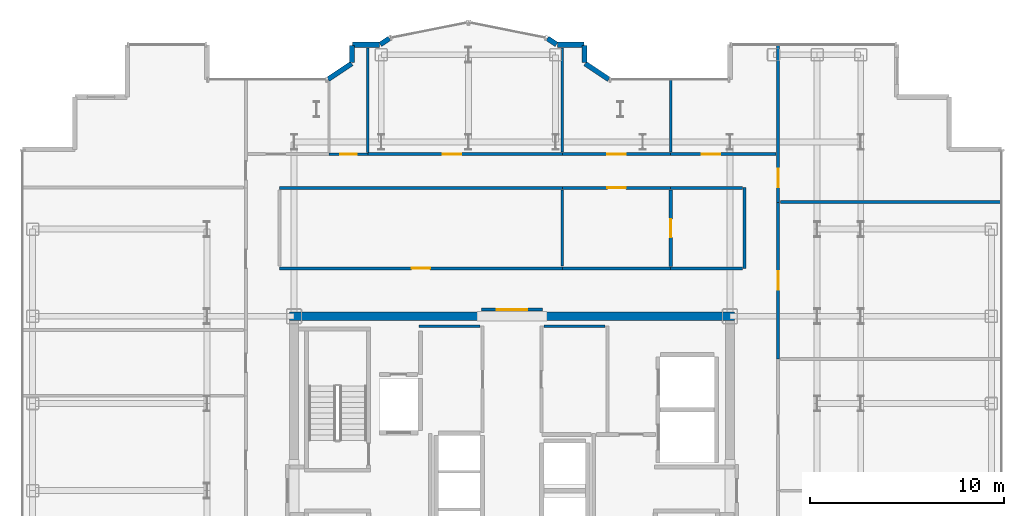
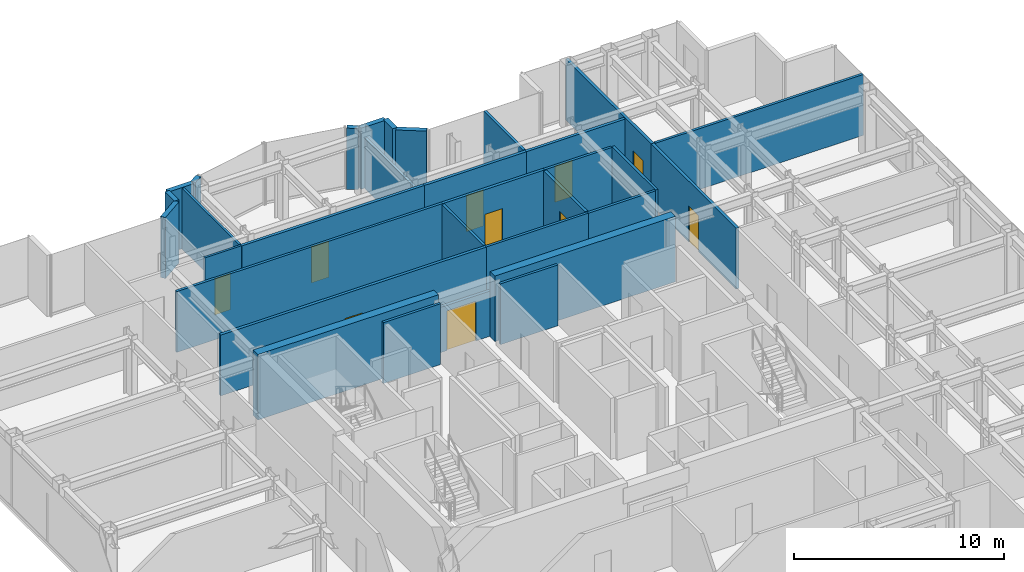
# One storey, part 18 of 20: 32 walls, 10 doors, 10 openings.
"""IFC4 building model written with IfcOpenShell, lengths in metres."""

from ifc_helpers import new_model, si_unit, direction, frame, frame_2d, origin, place, context, subcontext, project, spatial, rectangle, extrude, source, transform, mapped, material, layer, layer_set, type_object, element, fill, save


model = new_model("IFC4")

# Units and contexts
model_context = context("Model", 3, precision=1e-05, world=origin(), true_north=direction((0.0, 1.0)))
body_context = subcontext(model_context, "Body", "Model", "MODEL_VIEW")
ifc_project = project(units=[si_unit("LENGTHUNIT", "METRE"), si_unit("AREAUNIT", "SQUARE_METRE"), si_unit("VOLUMEUNIT", "CUBIC_METRE"), si_unit("PLANEANGLEUNIT", "RADIAN"), si_unit("MASSUNIT", "GRAM", prefix="KILO")], contexts=[model_context])

# Site, building, storey
site_placement = place(None, origin())
site = spatial("IfcSite", under=ifc_project, at=site_placement, CompositionType="ELEMENT")
building_placement = place(site_placement, origin())
building = spatial("IfcBuilding", under=site, at=building_placement, Name="Nefas-Gora Pilgrimage Tower", CompositionType="ELEMENT")
storey_placement = place(building_placement, frame((0.0, 0.0, 214.199951171875)))
storey = spatial("IfcBuildingStorey", under=building, at=storey_placement, Name="L53", CompositionType="ELEMENT", Elevation=214.199951171875)

# Walls
ifc_material_1 = material(Name="Concrete C50/60", Category="concrete")
ifc_layer_1 = layer(ifc_material_1, 0.449951171875)
ifc_layer_set_1 = layer_set([ifc_layer_1], Name="Concrete C50/60")
wall_type_1 = type_object("IfcWallType", Name="SW-CORE-450", PredefinedType="SHEAR", material=ifc_layer_set_1)
shared_shape_1 = source(origin(), body_context, "Body", "SweptSolid", [
    extrude(rectangle(XDim=9.925048828125, YDim=0.449951171875, at=frame_2d((4.96240234375, 0.0))), origin(), (0.0, 0.0, 1.0), 3.800048828125),
])
for number, where, z_axis, x_axis, name in (
    (1, (-11.47509765625, 9.0, 0.0), (0.0, 0.0, 1.0), (1.0, 0.0, 0.0), "L53 Core Shear Wall N-West"),
    (2, (1.550048828125, 9.0, 0.0), (0.0, 0.0, 1.0), (1.0, 0.0, 0.0), "L53 Core Shear Wall N-East"),
):
    element("IfcWall", number, at=place(storey_placement, frame(where, z_axis=z_axis, x_axis=x_axis)), inside=storey, type_object=wall_type_1, Name=name, PredefinedType="SHEAR", context=body_context, shape_type="MappedRepresentation", body=[
        mapped(shared_shape_1, transform((0.0, 0.0, 0.0), x_axis=(1.0, 0.0, 0.0), y_axis=(0.0, 1.0, 0.0), z_axis=(0.0, 0.0, 1.0), scale=1.0)),
    ])
ifc_material_2 = material(Name="Precast concrete C40/50", Category="concrete")
ifc_layer_2 = layer(ifc_material_2, 0.260009765625)
ifc_layer_set_2 = layer_set([ifc_layer_2], Name="Precast concrete C40/50")
wall_type_2 = type_object("IfcWallType", Name="EW-PORTAL-260", PredefinedType="SOLIDWALL", material=ifc_layer_set_2)
shared_shape_2 = source(origin(), body_context, "Body", "SweptSolid", [
    extrude(rectangle(XDim=1.468994140625, YDim=0.260009765625, at=frame_2d((0.734375, 0.0))), origin(), (0.0, 0.0, 1.0), 3.550048828125),
])
for number, where, z_axis, x_axis, name in (
    (3, (4.99462890625, 21.235595703125, 0.0), (0.0, 0.0, 1.0), (-0.831461760506, 0.555581983884, 0.0), "L53 Lobe Shoulder Precast Spandrel Pier 11"),
    (4, (-8.273193359375, 22.0517578125, 0.0), (0.0, 0.0, 1.0), (-0.831461760506, -0.555581983884, 0.0), "L53 Lobe Shoulder Precast Spandrel Pier 18"),
):
    element("IfcWall", number, at=place(storey_placement, frame(where, z_axis=z_axis, x_axis=x_axis)), inside=storey, type_object=wall_type_2, Name=name, PredefinedType="SOLIDWALL", context=body_context, shape_type="MappedRepresentation", body=[
        mapped(shared_shape_2, transform((0.0, 0.0, 0.0), x_axis=(1.0, 0.0, 0.0), y_axis=(0.0, 1.0, 0.0), z_axis=(0.0, 0.0, 1.0), scale=1.0)),
    ])
shared_shape_3 = source(origin(), body_context, "Body", "SweptSolid", [
    extrude(rectangle(XDim=0.896728515625, YDim=0.260009765625, at=frame_2d((0.4482421875, 0.0))), origin(), (0.0, 0.0, 1.0), 3.550048828125),
])
for number, where, z_axis, x_axis, name in (
    (5, (3.75, 22.09521484375, 0.0), (0.0, 0.0, 1.0), (0.0, 1.0, 0.0), "L53 Lobe Shoulder Precast Spandrel Pier 12"),
    (6, (-8.25, 22.991943359375, 0.0), (0.0, 0.0, 1.0), (0.0, -1.0, 0.0), "L53 Lobe Shoulder Precast Spandrel Pier 17"),
):
    element("IfcWall", number, at=place(storey_placement, frame(where, z_axis=z_axis, x_axis=x_axis)), inside=storey, type_object=wall_type_2, Name=name, PredefinedType="SOLIDWALL", context=body_context, shape_type="MappedRepresentation", body=[
        mapped(shared_shape_3, transform((0.0, 0.0, 0.0), x_axis=(1.0, 0.0, 0.0), y_axis=(0.0, 1.0, 0.0), z_axis=(0.0, 0.0, 1.0), scale=1.0)),
    ])
shared_shape_4 = source(origin(), body_context, "Body", "SweptSolid", [
    extrude(rectangle(XDim=1.369873046875, YDim=0.260009765625, at=frame_2d((0.68505859375, 0.0))), origin(), (0.0, 0.0, 1.0), 3.550048828125),
])
for number, where, z_axis, x_axis, name in (
    (7, (3.721923828125, 23.02001953125, 0.0), (0.0, 0.0, 1.0), (-1.0, 0.0, 0.0), "L53 Lobe Shoulder Precast Spandrel Pier 13"),
    (8, (-6.85205078125, 23.02001953125, 0.0), (0.0, 0.0, 1.0), (-1.0, 0.0, 0.0), "L53 Lobe Shoulder Precast Spandrel Pier 16"),
):
    element("IfcWall", number, at=place(storey_placement, frame(where, z_axis=z_axis, x_axis=x_axis)), inside=storey, type_object=wall_type_2, Name=name, PredefinedType="SOLIDWALL", context=body_context, shape_type="MappedRepresentation", body=[
        mapped(shared_shape_4, transform((0.0, 0.0, 0.0), x_axis=(1.0, 0.0, 0.0), y_axis=(0.0, 1.0, 0.0), z_axis=(0.0, 0.0, 1.0), scale=1.0)),
    ])
shared_shape_5 = source(origin(), body_context, "Body", "SweptSolid", [
    extrude(rectangle(XDim=0.5654296875, YDim=0.260009765625, at=frame_2d((0.28271484375, 0.0))), origin(), (0.0, 0.0, 1.0), 3.550048828125),
])
for number, where, z_axis, x_axis, name in (
    (9, (2.30078125, 23.03564453125, 0.0), (0.0, 0.0, 1.0), (-0.831651492666, 0.555297933317, 0.0), "L53 Lobe Shoulder Precast Spandrel Pier 14"),
    (10, (-6.33056640625, 23.349609375, 0.0), (0.0, 0.0, 1.0), (-0.831651492666, -0.555297933317, 0.0), "L53 Lobe Shoulder Precast Spandrel Pier 15"),
):
    element("IfcWall", number, at=place(storey_placement, frame(where, z_axis=z_axis, x_axis=x_axis)), inside=storey, type_object=wall_type_2, Name=name, PredefinedType="SOLIDWALL", context=body_context, shape_type="MappedRepresentation", body=[
        mapped(shared_shape_5, transform((0.0, 0.0, 0.0), x_axis=(1.0, 0.0, 0.0), y_axis=(0.0, 1.0, 0.0), z_axis=(0.0, 0.0, 1.0), scale=1.0)),
    ])
ifc_material_3 = material(Name="Gypsum twin-stud partition")
ifc_layer_3 = layer(ifc_material_3, 0.139892578125)
ifc_layer_set_3 = layer_set([ifc_layer_3], Name="Gypsum twin-stud partition")
wall_type_3 = type_object("IfcWallType", Name="IW-UNIT-140", PredefinedType="PARTITIONING", material=ifc_layer_set_3)
shared_shape_6 = source(origin(), body_context, "Body", "SweptSolid", [
    extrude(rectangle(XDim=3.150146484375, YDim=0.139892578125, at=frame_2d((1.5751953125, 0.0))), origin(), (0.0, 0.0, 1.0), 3.53515625),
])
for number, where, z_axis, x_axis, name in (
    (11, (-4.7900390625, 8.47998046875, 0.0), (0.0, 0.0, 1.0), (1.0, 0.0, 0.0), "L53 Housekeeping and Linen Store Partition Wall 19"),
    (12, (1.639892578125, 8.47998046875, 0.0), (0.0, 0.0, 1.0), (1.0, 0.0, 0.0), "L53 Freed Bank-1 Amenity Supply Store Partition Wall 24"),
):
    element("IfcWall", number, at=place(storey_placement, frame(where, z_axis=z_axis, x_axis=x_axis)), inside=storey, type_object=wall_type_3, Name=name, PredefinedType="PARTITIONING", context=body_context, shape_type="MappedRepresentation", body=[
        mapped(shared_shape_6, transform((0.0, 0.0, 0.0), x_axis=(1.0, 0.0, 0.0), y_axis=(0.0, 1.0, 0.0), z_axis=(0.0, 0.0, 1.0), scale=1.0)),
    ])

# Wall, opening, door
ifc_material_4 = material(Name="Moisture-resistant fire-rated gypsum partition")
ifc_layer_4 = layer(ifc_material_4, 0.1201171875)
ifc_layer_set_4 = layer_set([ifc_layer_4], Name="Moisture-resistant fire-rated gypsum partition")
wall_type_4 = type_object("IfcWallType", Name="IW-WET-120", PredefinedType="PLUMBINGWALL", material=ifc_layer_set_4)
shared_shape_7 = source(origin(), body_context, "Body", "SweptSolid", [
    extrude(rectangle(XDim=2.02001953125, YDim=0.1201171875, at=frame_2d((1.010009765625, 0.0))), origin(), (0.0, 0.0, 1.0), 3.53515625),
])
wall_1_placement = place(storey_placement, frame((-9.4599609375, 17.3701171875, 0.0), z_axis=(0.0, 0.0, 1.0), x_axis=(1.0, 0.0, 0.0)))
wall_1 = element("IfcWall", 13, at=wall_1_placement, inside=storey, type_object=wall_type_4, Name="L53 Accessible Unisex WC Partition Wall 25", PredefinedType="PLUMBINGWALL", context=body_context, shape_type="MappedRepresentation", body=[
    mapped(shared_shape_7, transform((0.0, 0.0, 0.0), x_axis=(1.0, 0.0, 0.0), y_axis=(0.0, 1.0, 0.0), z_axis=(0.0, 0.0, 1.0), scale=1.0)),
])
opening_1_placement = place(wall_1_placement, frame((0.5849609375, 0.0, 0.0)))
opening_1 = element("IfcOpeningElement", 14, at=opening_1_placement, cuts=wall_1, Name="Opening ID-BT1", PredefinedType="OPENING", context=body_context, shape_type="SweptSolid", body=[
    extrude(rectangle(XDim=0.85009765625, YDim=2.10009765625, at=frame_2d((0.425048828125, 1.050048828125))), frame((0.0, 0.070068359375, 0.0), z_axis=(0.0, -1.0, 0.0), x_axis=(1.0, 0.0, 0.0)), (0.0, 0.0, 1.0), 0.14013671875),
])
ifc_material_5 = material(Name="Moisture-resistant fire-rated timber door", Category="wood")
door_type_1 = type_object("IfcDoorType", Name="DR-INT-BATH-850", OperationType="NOTDEFINED", PredefinedType="DOOR", material=ifc_material_5)
shared_shape_8 = source(origin(), body_context, "Body", "SweptSolid", [
    extrude(rectangle(XDim=0.85009765625, YDim=2.10009765625, at=frame_2d((0.425048828125, 1.050048828125))), frame((0.0, 0.02490234375, 0.0), z_axis=(0.0, -1.0, 0.0), x_axis=(1.0, 0.0, 0.0)), (0.0, 0.0, 1.0), 0.050048828125),
])
door_1_placement = place(opening_1_placement, origin())
door_1 = element("IfcDoor", 15, at=door_1_placement, inside=storey, type_object=door_type_1, Name="L53 Accessible Unisex WC Door 10", OperationType="SINGLE_SWING_RIGHT", OverallHeight=2.10009765625, OverallWidth=0.85009765625, PredefinedType="DOOR", context=body_context, shape_type="MappedRepresentation", body=[
    mapped(shared_shape_8, transform((0.0, 0.0, 0.0), x_axis=(1.0, 0.0, 0.0), y_axis=(0.0, 1.0, 0.0), z_axis=(0.0, 0.0, 1.0), scale=1.0)),
])
fill(opening_1, door_1)

ifc_material_6 = material(Name="Gypsum acoustic stud partition")
ifc_layer_5 = layer(ifc_material_6, 0.159912109375)
ifc_layer_set_5 = layer_set([ifc_layer_5], Name="Gypsum acoustic stud partition")
wall_type_5 = type_object("IfcWallType", Name="IW-CORR-160", PredefinedType="PARTITIONING", material=ifc_layer_set_5)
shared_shape_9 = source(origin(), body_context, "Body", "SweptSolid", [
    extrude(rectangle(XDim=5.610107421875, YDim=0.159912109375, at=frame_2d((2.80517578125, 0.0))), origin(), (0.0, 0.0, 1.0), 3.53515625),
])
wall_2_placement = place(storey_placement, frame((2.594970703125, 17.3701171875, 0.0), z_axis=(0.0, 0.0, 1.0), x_axis=(1.0, 0.0, 0.0)))
wall_2 = element("IfcWall", 16, at=wall_2_placement, inside=storey, type_object=wall_type_5, Name="L53 Pilgrim Contemplative Lounge Partition Wall 59", PredefinedType="PARTITIONING", context=body_context, shape_type="MappedRepresentation", body=[
    mapped(shared_shape_9, transform((0.0, 0.0, 0.0), x_axis=(1.0, 0.0, 0.0), y_axis=(0.0, 1.0, 0.0), z_axis=(0.0, 0.0, 1.0), scale=1.0)),
])
opening_2_placement = place(wall_2_placement, frame((2.330078125, 0.0, 0.0)))
opening_2 = element("IfcOpeningElement", 17, at=opening_2_placement, cuts=wall_2, Name="Opening ID-GR1", PredefinedType="OPENING", context=body_context, shape_type="SweptSolid", body=[
    extrude(rectangle(XDim=0.949951171875, YDim=2.10009765625, at=frame_2d((0.47509765625, 1.050048828125))), frame((0.0, 0.08984375, 0.0), z_axis=(0.0, -1.0, 0.0), x_axis=(1.0, 0.0, 0.0)), (0.0, 0.0, 1.0), 0.179931640625),
])
ifc_material_7 = material(Name="Solid core oak fire-rated guest entrance door")
door_type_2 = type_object("IfcDoorType", Name="DR-INT-GUEST-950", OperationType="NOTDEFINED", PredefinedType="DOOR", material=ifc_material_7)
shared_shape_10 = source(origin(), body_context, "Body", "SweptSolid", [
    extrude(rectangle(XDim=0.949951171875, YDim=2.10009765625, at=frame_2d((0.47509765625, 1.050048828125))), frame((0.0, 0.02490234375, 0.0), z_axis=(0.0, -1.0, 0.0), x_axis=(1.0, 0.0, 0.0)), (0.0, 0.0, 1.0), 0.050048828125),
])
door_2_placement = place(opening_2_placement, origin())
door_2 = element("IfcDoor", 18, at=door_2_placement, inside=storey, type_object=door_type_2, Name="L53 Pilgrim Contemplative Lounge Door 27", OperationType="SINGLE_SWING_LEFT", OverallHeight=2.10009765625, OverallWidth=0.949951171875, PredefinedType="DOOR", context=body_context, shape_type="MappedRepresentation", body=[
    mapped(shared_shape_10, transform((0.0, 0.0, 0.0), x_axis=(1.0, 0.0, 0.0), y_axis=(0.0, 1.0, 0.0), z_axis=(0.0, 0.0, 1.0), scale=1.0)),
])
fill(opening_2, door_2)

wall_3_placement = place(storey_placement, frame((2.594970703125, 15.6298828125, 0.0), z_axis=(0.0, 0.0, 1.0), x_axis=(1.0, 0.0, 0.0)))
wall_3 = element("IfcWall", 19, at=wall_3_placement, inside=storey, type_object=wall_type_5, Name="L53 Scripture Reading Study Partition Wall 61", PredefinedType="PARTITIONING", context=body_context, shape_type="MappedRepresentation", body=[
    mapped(shared_shape_9, transform((0.0, 0.0, 0.0), x_axis=(1.0, 0.0, 0.0), y_axis=(0.0, 1.0, 0.0), z_axis=(0.0, 0.0, 1.0), scale=1.0)),
])
opening_3_placement = place(wall_3_placement, frame((2.330078125, 0.0, 0.0)))
opening_3 = element("IfcOpeningElement", 20, at=opening_3_placement, cuts=wall_3, Name="Opening ID-GR1", PredefinedType="OPENING", context=body_context, shape_type="SweptSolid", body=[
    extrude(rectangle(XDim=0.949951171875, YDim=2.10009765625, at=frame_2d((0.47509765625, 1.050048828125))), frame((0.0, 0.08984375, 0.0), z_axis=(0.0, -1.0, 0.0), x_axis=(1.0, 0.0, 0.0)), (0.0, 0.0, 1.0), 0.179931640625),
])
door_3_placement = place(opening_3_placement, origin())
door_3 = element("IfcDoor", 21, at=door_3_placement, inside=storey, type_object=door_type_2, Name="L53 Scripture Reading Study Door 28", OperationType="SINGLE_SWING_RIGHT", OverallHeight=2.10009765625, OverallWidth=0.949951171875, PredefinedType="DOOR", context=body_context, shape_type="MappedRepresentation", body=[
    mapped(shared_shape_10, transform((0.0, 0.0, 0.0), x_axis=(1.0, 0.0, 0.0), y_axis=(0.0, 1.0, 0.0), z_axis=(0.0, 0.0, 1.0), scale=1.0)),
])
fill(opening_3, door_3)

shared_shape_11 = source(origin(), body_context, "Body", "SweptSolid", [
    extrude(rectangle(XDim=5.425048828125, YDim=0.159912109375, at=frame_2d((2.71240234375, 0.0))), origin(), (0.0, 0.0, 1.0), 3.53515625),
])
wall_4_placement = place(storey_placement, frame((8.195068359375, 17.3701171875, 0.0), z_axis=(0.0, 0.0, 1.0), x_axis=(1.0, 0.0, 0.0)))
wall_4 = element("IfcWall", 22, at=wall_4_placement, inside=storey, type_object=wall_type_5, Name="L53 Pilgrim Contemplative Lounge Partition Wall 64", PredefinedType="PARTITIONING", context=body_context, shape_type="MappedRepresentation", body=[
    mapped(shared_shape_11, transform((0.0, 0.0, 0.0), x_axis=(1.0, 0.0, 0.0), y_axis=(0.0, 1.0, 0.0), z_axis=(0.0, 0.0, 1.0), scale=1.0)),
])
opening_4_placement = place(wall_4_placement, frame((1.611083984375, 0.0, 0.0)))
opening_4 = element("IfcOpeningElement", 23, at=opening_4_placement, cuts=wall_4, Name="Opening ID-GR1", PredefinedType="OPENING", context=body_context, shape_type="SweptSolid", body=[
    extrude(rectangle(XDim=0.949951171875, YDim=2.10009765625, at=frame_2d((0.47509765625, 1.050048828125))), frame((0.0, 0.08984375, 0.0), z_axis=(0.0, -1.0, 0.0), x_axis=(1.0, 0.0, 0.0)), (0.0, 0.0, 1.0), 0.179931640625),
])
door_4_placement = place(opening_4_placement, origin())
door_4 = element("IfcDoor", 24, at=door_4_placement, inside=storey, type_object=door_type_2, Name="L53 Pilgrim Contemplative Lounge Door 30", OperationType="SINGLE_SWING_RIGHT", OverallHeight=2.10009765625, OverallWidth=0.949951171875, PredefinedType="DOOR", context=body_context, shape_type="MappedRepresentation", body=[
    mapped(shared_shape_10, transform((0.0, 0.0, 0.0), x_axis=(1.0, 0.0, 0.0), y_axis=(0.0, 1.0, 0.0), z_axis=(0.0, 0.0, 1.0), scale=1.0)),
])
fill(opening_4, door_4)

# Walls
shared_shape_12 = source(origin(), body_context, "Body", "SweptSolid", [
    extrude(rectangle(XDim=5.380126953125, YDim=0.1201171875, at=frame_2d((2.68994140625, 0.0))), origin(), (0.0, 0.0, 1.0), 3.53515625),
])
wall_5_placement = place(storey_placement, frame((-7.449951171875, 17.469970703125, 0.0), z_axis=(0.0, 0.0, 1.0), x_axis=(0.0, 1.0, 0.0)))
element("IfcWall", 25, at=wall_5_placement, inside=storey, type_object=wall_type_4, Name="L53 Accessible Unisex WC Partition Wall 26", PredefinedType="PLUMBINGWALL", context=body_context, shape_type="MappedRepresentation", body=[
    mapped(shared_shape_12, transform((0.0, 0.0, 0.0), x_axis=(1.0, 0.0, 0.0), y_axis=(0.0, 1.0, 0.0), z_axis=(0.0, 0.0, 1.0), scale=1.0)),
])
shared_shape_13 = source(origin(), body_context, "Body", "SweptSolid", [
    extrude(rectangle(XDim=11.429931640625, YDim=0.139892578125, at=frame_2d((5.71484375, 0.0))), origin(), (0.0, 0.0, 1.0), 3.53515625),
])
wall_6_placement = place(storey_placement, frame((13.860107421875, 14.8974609375, 0.0), z_axis=(0.0, 0.0, 1.0), x_axis=(1.0, 0.0, 0.0)))
element("IfcWall", 26, at=wall_6_placement, inside=storey, type_object=wall_type_3, Name="L53 Pilgrim Contemplative Lounge Partition Wall 50", PredefinedType="PARTITIONING", context=body_context, shape_type="MappedRepresentation", body=[
    mapped(shared_shape_13, transform((0.0, 0.0, 0.0), x_axis=(1.0, 0.0, 0.0), y_axis=(0.0, 1.0, 0.0), z_axis=(0.0, 0.0, 1.0), scale=1.0)),
])
shared_shape_14 = source(origin(), body_context, "Body", "SweptSolid", [
    extrude(rectangle(XDim=3.929931640625, YDim=0.139892578125, at=frame_2d((1.96484375, 0.0))), origin(), (0.0, 0.0, 1.0), 3.53515625),
])
wall_7_placement = place(storey_placement, frame((2.594970703125, 11.590087890625, 0.0), z_axis=(0.0, 0.0, 1.0), x_axis=(0.0, 1.0, 0.0)))
element("IfcWall", 27, at=wall_7_placement, inside=storey, type_object=wall_type_3, Name="L53 Pilgrim Contemplative Lounge Partition Wall 55", PredefinedType="PARTITIONING", context=body_context, shape_type="MappedRepresentation", body=[
    mapped(shared_shape_14, transform((0.0, 0.0, 0.0), x_axis=(1.0, 0.0, 0.0), y_axis=(0.0, 1.0, 0.0), z_axis=(0.0, 0.0, 1.0), scale=1.0)),
])
shared_shape_15 = source(origin(), body_context, "Body", "SweptSolid", [
    extrude(rectangle(XDim=3.75, YDim=0.139892578125, at=frame_2d((1.875, 0.0))), origin(), (0.0, 0.0, 1.0), 3.53515625),
])
wall_8_placement = place(storey_placement, frame((8.195068359375, 17.489990234375, 0.0), z_axis=(0.0, 0.0, 1.0), x_axis=(0.0, 1.0, 0.0)))
element("IfcWall", 28, at=wall_8_placement, inside=storey, type_object=wall_type_3, Name="L53 Pilgrim Contemplative Lounge Partition Wall 60", PredefinedType="PARTITIONING", context=body_context, shape_type="MappedRepresentation", body=[
    mapped(shared_shape_15, transform((0.0, 0.0, 0.0), x_axis=(1.0, 0.0, 0.0), y_axis=(0.0, 1.0, 0.0), z_axis=(0.0, 0.0, 1.0), scale=1.0)),
])

# Wall, opening, door
shared_shape_16 = source(origin(), body_context, "Body", "SweptSolid", [
    extrude(rectangle(XDim=3.929931640625, YDim=0.159912109375, at=frame_2d((1.96484375, 0.0))), origin(), (0.0, 0.0, 1.0), 3.53515625),
])
wall_9_placement = place(storey_placement, frame((8.195068359375, 11.580078125, 0.0), z_axis=(0.0, 0.0, 1.0), x_axis=(0.0, 1.0, 0.0)))
wall_9 = element("IfcWall", 29, at=wall_9_placement, inside=storey, type_object=wall_type_5, Name="L53 Scripture Reading Study Partition Wall 63", PredefinedType="PARTITIONING", context=body_context, shape_type="MappedRepresentation", body=[
    mapped(shared_shape_16, transform((0.0, 0.0, 0.0), x_axis=(1.0, 0.0, 0.0), y_axis=(0.0, 1.0, 0.0), z_axis=(0.0, 0.0, 1.0), scale=1.0)),
])
opening_5_placement = place(wall_9_placement, frame((1.489990234375, 0.0, 0.0)))
opening_5 = element("IfcOpeningElement", 30, at=opening_5_placement, cuts=wall_9, Name="Opening ID-GR1", PredefinedType="OPENING", context=body_context, shape_type="SweptSolid", body=[
    extrude(rectangle(XDim=0.949951171875, YDim=2.10009765625, at=frame_2d((0.47509765625, 1.050048828125))), frame((0.0, 0.08984375, 0.0), z_axis=(0.0, -1.0, 0.0), x_axis=(1.0, 0.0, 0.0)), (0.0, 0.0, 1.0), 0.179931640625),
])
door_5_placement = place(opening_5_placement, origin())
door_5 = element("IfcDoor", 31, at=door_5_placement, inside=storey, type_object=door_type_2, Name="L53 Pilgrim Contemplative Lounge Door 29", OperationType="SINGLE_SWING_LEFT", OverallHeight=2.10009765625, OverallWidth=0.949951171875, PredefinedType="DOOR", context=body_context, shape_type="MappedRepresentation", body=[
    mapped(shared_shape_10, transform((0.0, 0.0, 0.0), x_axis=(1.0, 0.0, 0.0), y_axis=(0.0, 1.0, 0.0), z_axis=(0.0, 0.0, 1.0), scale=1.0)),
])
fill(opening_5, door_5)

# Walls
shared_shape_17 = source(origin(), body_context, "Body", "SweptSolid", [
    extrude(rectangle(XDim=4.179931640625, YDim=0.139892578125, at=frame_2d((2.08984375, 0.0))), origin(), (0.0, 0.0, 1.0), 3.53515625),
])
wall_10_placement = place(storey_placement, frame((12.0, 11.4599609375, 0.0), z_axis=(0.0, 0.0, 1.0), x_axis=(0.0, 1.0, 0.0)))
element("IfcWall", 32, at=wall_10_placement, inside=storey, type_object=wall_type_3, Name="L53 Pilgrim Contemplative Lounge Partition Wall 65", PredefinedType="PARTITIONING", context=body_context, shape_type="MappedRepresentation", body=[
    mapped(shared_shape_17, transform((0.0, 0.0, 0.0), x_axis=(1.0, 0.0, 0.0), y_axis=(0.0, 1.0, 0.0), z_axis=(0.0, 0.0, 1.0), scale=1.0)),
])
shared_shape_18 = source(origin(), body_context, "Body", "SweptSolid", [
    extrude(rectangle(XDim=3.69482421875, YDim=0.139892578125, at=frame_2d((1.847412109375, 0.0))), origin(), (0.0, 0.0, 1.0), 3.53515625),
])
for number, where, z_axis, x_axis, name in (
    (33, (8.195068359375, 15.6298828125, 0.0), (0.0, 0.0, 1.0), (1.0, 0.0, 0.0), "L53 Pilgrim Contemplative Lounge Partition Wall 66"),
    (34, (8.195068359375, 11.469970703125, 0.0), (0.0, 0.0, 1.0), (1.0, 0.0, 0.0), "L53 Pilgrim Contemplative Lounge Partition Wall 67"),
):
    element("IfcWall", number, at=place(storey_placement, frame(where, z_axis=z_axis, x_axis=x_axis)), inside=storey, type_object=wall_type_3, Name=name, PredefinedType="PARTITIONING", context=body_context, shape_type="MappedRepresentation", body=[
        mapped(shared_shape_18, transform((0.0, 0.0, 0.0), x_axis=(1.0, 0.0, 0.0), y_axis=(0.0, 1.0, 0.0), z_axis=(0.0, 0.0, 1.0), scale=1.0)),
    ])

# Wall, opening, door
shared_shape_19 = source(origin(), body_context, "Body", "SweptSolid", [
    extrude(rectangle(XDim=3.16015625, YDim=0.159912109375, at=frame_2d((1.580078125, 0.0))), origin(), (0.0, 0.0, 1.0), 2.625),
])
wall_11_placement = place(storey_placement, frame((-1.580078125, 9.35009765625, 0.0), z_axis=(0.0, 0.0, 1.0), x_axis=(1.0, 0.0, 0.0)))
wall_11 = element("IfcWall", 35, at=wall_11_placement, inside=storey, type_object=wall_type_5, Name="L53 Central Lift Lobby North Portal Wall 15", PredefinedType="PARTITIONING", context=body_context, shape_type="MappedRepresentation", body=[
    mapped(shared_shape_19, transform((0.0, 0.0, 0.0), x_axis=(1.0, 0.0, 0.0), y_axis=(0.0, 1.0, 0.0), z_axis=(0.0, 0.0, 1.0), scale=1.0)),
])
opening_6_placement = place(wall_11_placement, frame((0.780029296875, 0.0, 0.0)))
opening_6 = element("IfcOpeningElement", 36, at=opening_6_placement, cuts=wall_11, Name="Opening ID-HL1", PredefinedType="OPENING", context=body_context, shape_type="SweptSolid", body=[
    extrude(rectangle(XDim=1.60009765625, YDim=2.300048828125, at=frame_2d((0.800048828125, 1.14990234375))), frame((0.0, 0.08984375, 0.0), z_axis=(0.0, -1.0, 0.0), x_axis=(1.0, 0.0, 0.0)), (0.0, 0.0, 1.0), 0.179931640625),
])
ifc_material_8 = material(Name="Double acoustic timber assembly hall door", Category="wood")
door_type_3 = type_object("IfcDoorType", Name="DR-INT-HALL-1600", OperationType="DOUBLE_DOOR_SINGLE_SWING", PredefinedType="DOOR", material=ifc_material_8)
shared_shape_20 = source(origin(), body_context, "Body", "SweptSolid", [
    extrude(rectangle(XDim=1.60009765625, YDim=2.300048828125, at=frame_2d((0.800048828125, 1.14990234375))), frame((0.0, 0.02490234375, 0.0), z_axis=(0.0, -1.0, 0.0), x_axis=(1.0, 0.0, 0.0)), (0.0, 0.0, 1.0), 0.050048828125),
])
door_6_placement = place(opening_6_placement, origin())
door_6 = element("IfcDoor", 37, at=door_6_placement, inside=storey, type_object=door_type_3, Name="L53 Central Lift Lobby North Portal Door 5", OperationType="DOUBLE_DOOR_SINGLE_SWING", OverallHeight=2.300048828125, OverallWidth=1.60009765625, PredefinedType="DOOR", context=body_context, shape_type="MappedRepresentation", body=[
    mapped(shared_shape_20, transform((0.0, 0.0, 0.0), x_axis=(1.0, 0.0, 0.0), y_axis=(0.0, 1.0, 0.0), z_axis=(0.0, 0.0, 1.0), scale=1.0)),
])
fill(opening_6, door_6)

shared_shape_21 = source(origin(), body_context, "Body", "SweptSolid", [
    extrude(rectangle(XDim=8.152587890625, YDim=0.159912109375, at=frame_2d((4.076171875, 0.0))), origin(), (0.0, 0.0, 1.0), 3.53515625),
])
wall_12_placement = place(storey_placement, frame((13.739990234375, 14.887451171875, 0.0), z_axis=(0.0, 0.0, 1.0), x_axis=(0.0, 1.0, 0.0)))
wall_12 = element("IfcWall", 38, at=wall_12_placement, inside=storey, type_object=wall_type_5, Name="L53 Pilgrim Contemplative Lounge Partition Wall 49", PredefinedType="PARTITIONING", context=body_context, shape_type="MappedRepresentation", body=[
    mapped(shared_shape_21, transform((0.0, 0.0, 0.0), x_axis=(1.0, 0.0, 0.0), y_axis=(0.0, 1.0, 0.0), z_axis=(0.0, 0.0, 1.0), scale=1.0)),
])
opening_7_placement = place(wall_12_placement, frame((0.786376953125, 0.0, 0.0)))
opening_7 = element("IfcOpeningElement", 39, at=opening_7_placement, cuts=wall_12, Name="Opening ID-GR1", PredefinedType="OPENING", context=body_context, shape_type="SweptSolid", body=[
    extrude(rectangle(XDim=0.949951171875, YDim=2.10009765625, at=frame_2d((0.47509765625, 1.050048828125))), frame((0.0, 0.08984375, 0.0), z_axis=(0.0, -1.0, 0.0), x_axis=(1.0, 0.0, 0.0)), (0.0, 0.0, 1.0), 0.179931640625),
])
door_7_placement = place(opening_7_placement, origin())
door_7 = element("IfcDoor", 40, at=door_7_placement, inside=storey, type_object=door_type_2, Name="L53 Pilgrim Contemplative Lounge Door 22", OperationType="SINGLE_SWING_RIGHT", OverallHeight=2.10009765625, OverallWidth=0.949951171875, PredefinedType="DOOR", context=body_context, shape_type="MappedRepresentation", body=[
    mapped(shared_shape_10, transform((0.0, 0.0, 0.0), x_axis=(1.0, 0.0, 0.0), y_axis=(0.0, 1.0, 0.0), z_axis=(0.0, 0.0, 1.0), scale=1.0)),
])
fill(opening_7, door_7)

shared_shape_22 = source(origin(), body_context, "Body", "SweptSolid", [
    extrude(rectangle(XDim=8.092529296875, YDim=0.159912109375, at=frame_2d((4.04638671875, 0.0))), origin(), (0.0, 0.0, 1.0), 3.53515625),
])
wall_13_placement = place(storey_placement, frame((13.739990234375, 6.794921875, 0.0), z_axis=(0.0, 0.0, 1.0), x_axis=(0.0, 1.0, 0.0)))
wall_13 = element("IfcWall", 41, at=wall_13_placement, inside=storey, type_object=wall_type_5, Name="L53 Pilgrim Contemplative Lounge Partition Wall 51", PredefinedType="PARTITIONING", context=body_context, shape_type="MappedRepresentation", body=[
    mapped(shared_shape_22, transform((0.0, 0.0, 0.0), x_axis=(1.0, 0.0, 0.0), y_axis=(0.0, 1.0, 0.0), z_axis=(0.0, 0.0, 1.0), scale=1.0)),
])
opening_8_placement = place(wall_13_placement, frame((3.5712890625, 0.0, 0.0)))
opening_8 = element("IfcOpeningElement", 42, at=opening_8_placement, cuts=wall_13, Name="Opening ID-GR1", PredefinedType="OPENING", context=body_context, shape_type="SweptSolid", body=[
    extrude(rectangle(XDim=0.949951171875, YDim=2.10009765625, at=frame_2d((0.47509765625, 1.050048828125))), frame((0.0, 0.08984375, 0.0), z_axis=(0.0, -1.0, 0.0), x_axis=(1.0, 0.0, 0.0)), (0.0, 0.0, 1.0), 0.179931640625),
])
door_8_placement = place(opening_8_placement, origin())
door_8 = element("IfcDoor", 43, at=door_8_placement, inside=storey, type_object=door_type_2, Name="L53 Pilgrim Contemplative Lounge Door 23", OperationType="SINGLE_SWING_LEFT", OverallHeight=2.10009765625, OverallWidth=0.949951171875, PredefinedType="DOOR", context=body_context, shape_type="MappedRepresentation", body=[
    mapped(shared_shape_10, transform((0.0, 0.0, 0.0), x_axis=(1.0, 0.0, 0.0), y_axis=(0.0, 1.0, 0.0), z_axis=(0.0, 0.0, 1.0), scale=1.0)),
])
fill(opening_8, door_8)

shared_shape_23 = source(origin(), body_context, "Body", "SweptSolid", [
    extrude(rectangle(XDim=14.614990234375, YDim=0.159912109375, at=frame_2d((7.3076171875, 0.0))), origin(), (0.0, 0.0, 1.0), 3.53515625),
])
wall_14_placement = place(storey_placement, frame((-12.010009765625, 11.469970703125, 0.0), z_axis=(0.0, 0.0, 1.0), x_axis=(1.0, 0.0, 0.0)))
wall_14 = element("IfcWall", 44, at=wall_14_placement, inside=storey, type_object=wall_type_5, Name="L53 Pilgrim Contemplative Lounge Partition Wall 52", PredefinedType="PARTITIONING", context=body_context, shape_type="MappedRepresentation", body=[
    mapped(shared_shape_23, transform((0.0, 0.0, 0.0), x_axis=(1.0, 0.0, 0.0), y_axis=(0.0, 1.0, 0.0), z_axis=(0.0, 0.0, 1.0), scale=1.0)),
])
opening_9_placement = place(wall_14_placement, frame((6.83251953125, 0.0, 0.0)))
opening_9 = element("IfcOpeningElement", 45, at=opening_9_placement, cuts=wall_14, Name="Opening ID-GR1", PredefinedType="OPENING", context=body_context, shape_type="SweptSolid", body=[
    extrude(rectangle(XDim=0.949951171875, YDim=2.10009765625, at=frame_2d((0.47509765625, 1.050048828125))), frame((0.0, 0.08984375, 0.0), z_axis=(0.0, -1.0, 0.0), x_axis=(1.0, 0.0, 0.0)), (0.0, 0.0, 1.0), 0.179931640625),
])
door_9_placement = place(opening_9_placement, origin())
door_9 = element("IfcDoor", 46, at=door_9_placement, inside=storey, type_object=door_type_2, Name="L53 Pilgrim Contemplative Lounge Door 24", OperationType="SINGLE_SWING_RIGHT", OverallHeight=2.10009765625, OverallWidth=0.949951171875, PredefinedType="DOOR", context=body_context, shape_type="MappedRepresentation", body=[
    mapped(shared_shape_10, transform((0.0, 0.0, 0.0), x_axis=(1.0, 0.0, 0.0), y_axis=(0.0, 1.0, 0.0), z_axis=(0.0, 0.0, 1.0), scale=1.0)),
])
fill(opening_9, door_9)

# Wall
shared_shape_24 = source(origin(), body_context, "Body", "SweptSolid", [
    extrude(rectangle(XDim=14.614990234375, YDim=0.139892578125, at=frame_2d((7.3076171875, 0.0))), origin(), (0.0, 0.0, 1.0), 3.53515625),
])
wall_15_placement = place(storey_placement, frame((-12.010009765625, 15.6298828125, 0.0), z_axis=(0.0, 0.0, 1.0), x_axis=(1.0, 0.0, 0.0)))
element("IfcWall", 47, at=wall_15_placement, inside=storey, type_object=wall_type_3, Name="L53 Pilgrim Contemplative Lounge Partition Wall 53", PredefinedType="PARTITIONING", context=body_context, shape_type="MappedRepresentation", body=[
    mapped(shared_shape_24, transform((0.0, 0.0, 0.0), x_axis=(1.0, 0.0, 0.0), y_axis=(0.0, 1.0, 0.0), z_axis=(0.0, 0.0, 1.0), scale=1.0)),
])

# Wall, opening, door
shared_shape_25 = source(origin(), body_context, "Body", "SweptSolid", [
    extrude(rectangle(XDim=10.044921875, YDim=0.159912109375, at=frame_2d((5.0224609375, 0.0))), origin(), (0.0, 0.0, 1.0), 3.53515625),
])
wall_16_placement = place(storey_placement, frame((-7.43994140625, 17.3701171875, 0.0), z_axis=(0.0, 0.0, 1.0), x_axis=(1.0, 0.0, 0.0)))
wall_16 = element("IfcWall", 48, at=wall_16_placement, inside=storey, type_object=wall_type_5, Name="L53 Pilgrim Contemplative Lounge Partition Wall 56", PredefinedType="PARTITIONING", context=body_context, shape_type="MappedRepresentation", body=[
    mapped(shared_shape_25, transform((0.0, 0.0, 0.0), x_axis=(1.0, 0.0, 0.0), y_axis=(0.0, 1.0, 0.0), z_axis=(0.0, 0.0, 1.0), scale=1.0)),
])
opening_10_placement = place(wall_16_placement, frame((3.86474609375, 0.0, 0.0)))
opening_10 = element("IfcOpeningElement", 49, at=opening_10_placement, cuts=wall_16, Name="Opening ID-GR1", PredefinedType="OPENING", context=body_context, shape_type="SweptSolid", body=[
    extrude(rectangle(XDim=0.949951171875, YDim=2.10009765625, at=frame_2d((0.47509765625, 1.050048828125))), frame((0.0, 0.08984375, 0.0), z_axis=(0.0, -1.0, 0.0), x_axis=(1.0, 0.0, 0.0)), (0.0, 0.0, 1.0), 0.179931640625),
])
door_10_placement = place(opening_10_placement, origin())
door_10 = element("IfcDoor", 50, at=door_10_placement, inside=storey, type_object=door_type_2, Name="L53 Pilgrim Contemplative Lounge Door 25", OperationType="SINGLE_SWING_LEFT", OverallHeight=2.10009765625, OverallWidth=0.949951171875, PredefinedType="DOOR", context=body_context, shape_type="MappedRepresentation", body=[
    mapped(shared_shape_10, transform((0.0, 0.0, 0.0), x_axis=(1.0, 0.0, 0.0), y_axis=(0.0, 1.0, 0.0), z_axis=(0.0, 0.0, 1.0), scale=1.0)),
])
fill(opening_10, door_10)

# Walls
shared_shape_26 = source(origin(), body_context, "Body", "SweptSolid", [
    extrude(rectangle(XDim=5.360107421875, YDim=0.139892578125, at=frame_2d((2.68017578125, 0.0))), origin(), (0.0, 0.0, 1.0), 2.925048828125),
])
wall_17_placement = place(storey_placement, frame((2.594970703125, 17.489990234375, 0.0), z_axis=(0.0, 0.0, 1.0), x_axis=(0.0, 1.0, 0.0)))
element("IfcWall", 51, at=wall_17_placement, inside=storey, type_object=wall_type_3, Name="L53 Pilgrim Contemplative Lounge Partition Wall 57", PredefinedType="PARTITIONING", context=body_context, shape_type="MappedRepresentation", body=[
    mapped(shared_shape_26, transform((0.0, 0.0, 0.0), x_axis=(1.0, 0.0, 0.0), y_axis=(0.0, 1.0, 0.0), z_axis=(0.0, 0.0, 1.0), scale=1.0)),
])
shared_shape_27 = source(origin(), body_context, "Body", "SweptSolid", [
    extrude(rectangle(XDim=5.610107421875, YDim=0.139892578125, at=frame_2d((2.80517578125, 0.0))), origin(), (0.0, 0.0, 1.0), 3.53515625),
])
wall_18_placement = place(storey_placement, frame((2.594970703125, 11.469970703125, 0.0), z_axis=(0.0, 0.0, 1.0), x_axis=(1.0, 0.0, 0.0)))
element("IfcWall", 52, at=wall_18_placement, inside=storey, type_object=wall_type_3, Name="L53 Scripture Reading Study Partition Wall 62", PredefinedType="PARTITIONING", context=body_context, shape_type="MappedRepresentation", body=[
    mapped(shared_shape_27, transform((0.0, 0.0, 0.0), x_axis=(1.0, 0.0, 0.0), y_axis=(0.0, 1.0, 0.0), z_axis=(0.0, 0.0, 1.0), scale=1.0)),
])

save(model, "model.ifc")
